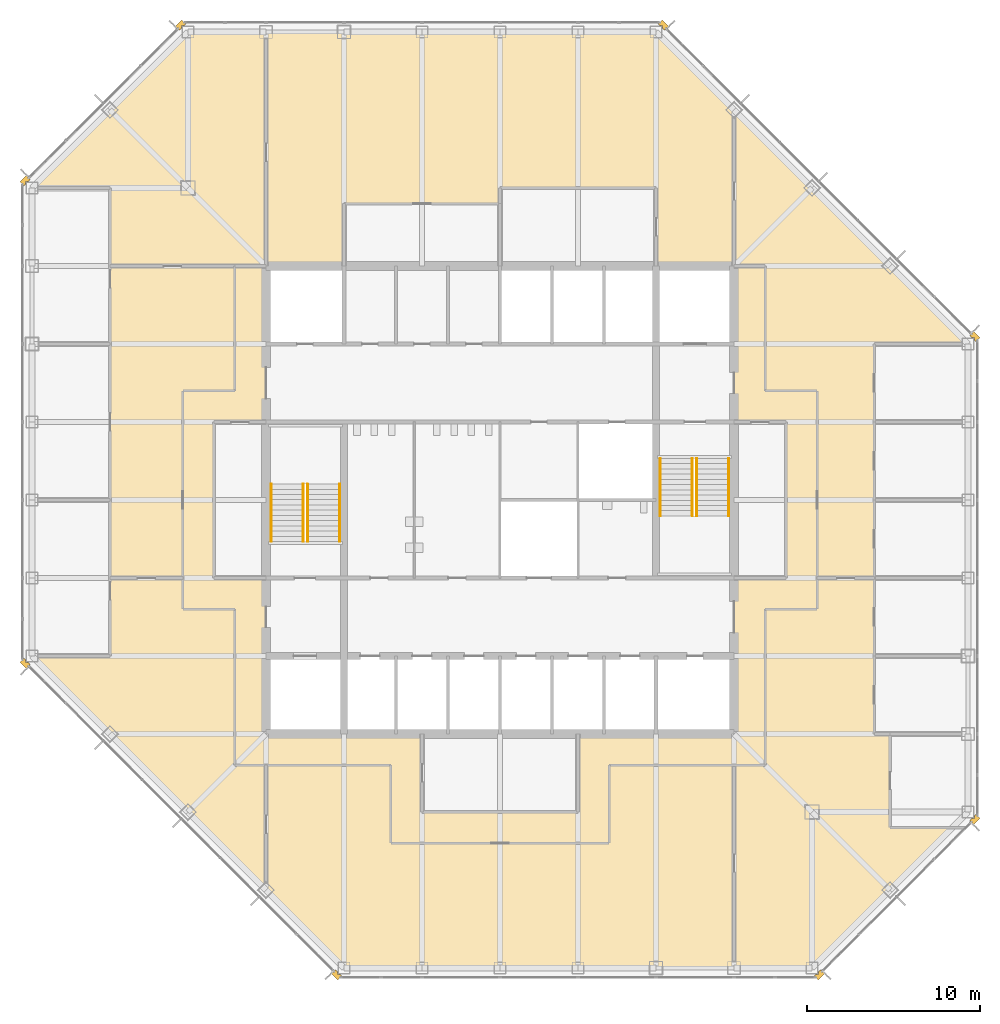
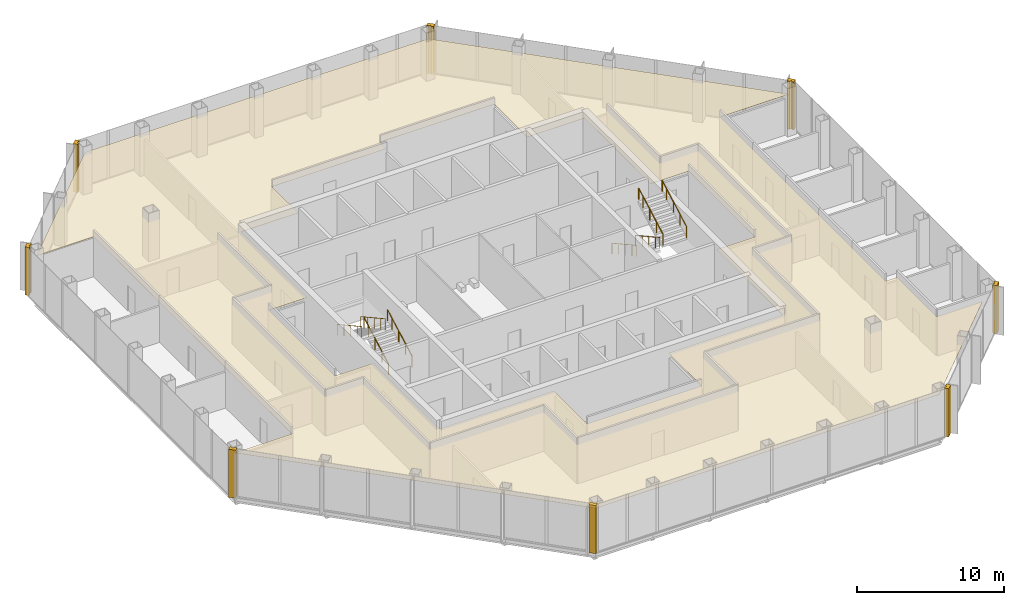
# One storey, part 12 of 13: 9 coverings, 8 railings.
"""IFC4 building model written with IfcOpenShell, lengths in metres."""

from ifc_helpers import new_model, si_unit, direction, frame, origin, origin_2d, place, context, subcontext, project, spatial, polyline, circle, outline, extrude, material, layer, layer_set, type_object, element, save


model = new_model("IFC4")

# Units and contexts
model_context = context("Model", 3, precision=1e-05, world=origin(), true_north=direction((0.0, 1.0)))
body_context = subcontext(model_context, "Body", "Model", "MODEL_VIEW")
ifc_project = project(units=[si_unit("LENGTHUNIT", "METRE"), si_unit("AREAUNIT", "SQUARE_METRE"), si_unit("VOLUMEUNIT", "CUBIC_METRE"), si_unit("PLANEANGLEUNIT", "RADIAN"), si_unit("MASSUNIT", "GRAM", prefix="KILO")], contexts=[model_context])

# Site, building, storey
site_placement = place(None, origin())
site = spatial("IfcSite", under=ifc_project, at=site_placement, CompositionType="ELEMENT")
building_placement = place(site_placement, origin())
building = spatial("IfcBuilding", under=site, at=building_placement, Name="Corais Broadcast Tower", CompositionType="ELEMENT")
storey_placement = place(building_placement, frame((0.0, 0.0, 175.60009765625)))
storey = spatial("IfcBuildingStorey", under=building, at=storey_placement, Name="L40", CompositionType="ELEMENT", Elevation=175.60009765625)

# Railings
ifc_material_1 = material(Name="Stainless steel handrail", Category="steel")
railing_type = type_object("IfcRailingType", Name="Handrail 920", PredefinedType="HANDRAIL", material=ifc_material_1)
for number, where, name in (
    (1, (17.75, 24.60009765625, 0.16650390625), "HR1 L40"),
    (2, (15.89990234375, 24.60009765625, 0.16650390625), "HR1 L40"),
):
    element("IfcRailing", number, at=place(storey_placement, frame(where)), inside=storey, type_object=railing_type, Name=name, PredefinedType="HANDRAIL", context=body_context, shape_type="SweptSolid", body=[
        extrude(circle(Radius=0.02392578125, at=origin_2d()), frame((0.0, 0.0, 0.89599609375), z_axis=(0.0, 0.875504475178, 0.483210010185), x_axis=(-1.0, 0.0, 0.0)), (0.0, 0.0, 1.0), 3.79443359375),
        extrude(circle(Radius=0.02099609375, at=origin_2d()), origin(), (0.0, 0.0, 1.0), 0.871826171875),
        extrude(circle(Radius=0.02099609375, at=origin_2d()), frame((0.0, 0.906005859375, 0.5)), (0.0, 0.0, 1.0), 0.871826171875),
        extrude(circle(Radius=0.02099609375, at=origin_2d()), frame((0.0, 1.81201171875, 1.0)), (0.0, 0.0, 1.0), 0.871826171875),
        extrude(circle(Radius=0.02099609375, at=origin_2d()), frame((0.0, 2.718017578125, 1.500244140625)), (0.0, 0.0, 1.0), 0.871826171875),
        extrude(circle(Radius=0.02099609375, at=origin_2d()), frame((0.0, 3.322021484375, 1.83349609375)), (0.0, 0.0, 1.0), 0.871826171875),
    ])
for number, where, name in (
    (3, (13.800048828125, 27.922119140625, 2.16650390625), "HR1 L40"),
    (4, (15.64990234375, 27.922119140625, 2.16650390625), "HR1 L40"),
    (5, (36.25, 29.39990234375, 0.16650390625), "HR1 L40"),
    (6, (38.10009765625, 29.39990234375, 0.16650390625), "HR1 L40"),
):
    element("IfcRailing", number, at=place(storey_placement, frame(where)), inside=storey, type_object=railing_type, Name=name, PredefinedType="HANDRAIL", context=body_context, shape_type="SweptSolid", body=[
        extrude(circle(Radius=0.02392578125, at=origin_2d()), frame((0.0, 0.0, 0.89599609375), z_axis=(0.0, -0.875504475178, 0.483210010185), x_axis=(1.0, 0.0, 0.0)), (0.0, 0.0, 1.0), 3.79443359375),
        extrude(circle(Radius=0.02099609375, at=origin_2d()), origin(), (0.0, 0.0, 1.0), 0.871826171875),
        extrude(circle(Radius=0.02099609375, at=origin_2d()), frame((0.0, -0.906005859375, 0.5)), (0.0, 0.0, 1.0), 0.871826171875),
        extrude(circle(Radius=0.02099609375, at=origin_2d()), frame((0.0, -1.81201171875, 1.0)), (0.0, 0.0, 1.0), 0.871826171875),
        extrude(circle(Radius=0.02099609375, at=origin_2d()), frame((0.0, -2.718017578125, 1.500244140625)), (0.0, 0.0, 1.0), 0.871826171875),
        extrude(circle(Radius=0.02099609375, at=origin_2d()), frame((0.0, -3.322021484375, 1.83349609375)), (0.0, 0.0, 1.0), 0.871826171875),
    ])
for number, where, name in (
    (7, (40.199951171875, 26.077880859375, 2.16650390625), "HR1 L40"),
    (8, (38.35009765625, 26.077880859375, 2.16650390625), "HR1 L40"),
):
    element("IfcRailing", number, at=place(storey_placement, frame(where)), inside=storey, type_object=railing_type, Name=name, PredefinedType="HANDRAIL", context=body_context, shape_type="SweptSolid", body=[
        extrude(circle(Radius=0.02392578125, at=origin_2d()), frame((0.0, 0.0, 0.89599609375), z_axis=(0.0, 0.875504475178, 0.483210010185), x_axis=(-1.0, 0.0, 0.0)), (0.0, 0.0, 1.0), 3.79443359375),
        extrude(circle(Radius=0.02099609375, at=origin_2d()), origin(), (0.0, 0.0, 1.0), 0.871826171875),
        extrude(circle(Radius=0.02099609375, at=origin_2d()), frame((0.0, 0.906005859375, 0.5)), (0.0, 0.0, 1.0), 0.871826171875),
        extrude(circle(Radius=0.02099609375, at=origin_2d()), frame((0.0, 1.81201171875, 1.0)), (0.0, 0.0, 1.0), 0.871826171875),
        extrude(circle(Radius=0.02099609375, at=origin_2d()), frame((0.0, 2.718017578125, 1.500244140625)), (0.0, 0.0, 1.0), 0.871826171875),
        extrude(circle(Radius=0.02099609375, at=origin_2d()), frame((0.0, 3.322021484375, 1.83349609375)), (0.0, 0.0, 1.0), 0.871826171875),
    ])

# Coverings
ifc_material_2 = material(Name="Granite stone cladding", Category="masonry")
ifc_layer_1 = layer(ifc_material_2, 0.324951171875)
ifc_layer_set_1 = layer_set([ifc_layer_1], Name="Granite stone cladding")
covering_type_1 = type_object("IfcCoveringType", Name="Stone corner pier cladding 500x325", PredefinedType="CLADDING", material=ifc_layer_set_1)
covering_1_placement = place(storey_placement, origin())
element("IfcCovering", 9, at=covering_1_placement, inside=storey, type_object=covering_type_1, Name="SP1 stone corner pier L40", PredefinedType="CLADDING", context=body_context, shape_type="SweptSolid", body=[
    extrude(outline(polyline([(17.860595703125, -0.461669921875), (17.77392578125, -0.375), (17.625, -0.375), (17.625, -0.22607421875), (17.507080078125, -0.108154296875), (17.277099609375, -0.337890625), (17.630859375, -0.69140625), (17.860595703125, -0.461669921875)])), origin(), (0.0, 0.0, 1.0), 4.0),
])
covering_2_placement = place(storey_placement, origin())
element("IfcCovering", 10, at=covering_2_placement, inside=storey, type_object=covering_type_1, Name="SP1 stone corner pier L40", PredefinedType="CLADDING", context=body_context, shape_type="SweptSolid", body=[
    extrude(outline(polyline([(-0.375, 17.77392578125), (-0.461669921875, 17.860595703125), (-0.69140625, 17.630859375), (-0.337890625, 17.277099609375), (-0.108154296875, 17.507080078125), (-0.22607421875, 17.625), (-0.375, 17.625), (-0.375, 17.77392578125)])), origin(), (0.0, 0.0, 1.0), 4.0),
])
covering_3_placement = place(storey_placement, origin())
element("IfcCovering", 11, at=covering_3_placement, inside=storey, type_object=covering_type_1, Name="SP1 stone corner pier L40", PredefinedType="CLADDING", context=body_context, shape_type="SweptSolid", body=[
    extrude(outline(polyline([(-0.461669921875, 45.139404296875), (-0.375, 45.22607421875), (-0.375, 45.375), (-0.22607421875, 45.375), (-0.108154296875, 45.492919921875), (-0.337890625, 45.722900390625), (-0.69140625, 45.369140625), (-0.461669921875, 45.139404296875)])), origin(), (0.0, 0.0, 1.0), 4.0),
])
covering_4_placement = place(storey_placement, origin())
element("IfcCovering", 12, at=covering_4_placement, inside=storey, type_object=covering_type_1, Name="SP1 stone corner pier L40", PredefinedType="CLADDING", context=body_context, shape_type="SweptSolid", body=[
    extrude(outline(polyline([(8.77392578125, 54.375), (8.860595703125, 54.461669921875), (8.630859375, 54.69140625), (8.277099609375, 54.337890625), (8.507080078125, 54.108154296875), (8.625, 54.22607421875), (8.625, 54.375), (8.77392578125, 54.375)])), origin(), (0.0, 0.0, 1.0), 4.0),
])
covering_5_placement = place(storey_placement, origin())
element("IfcCovering", 13, at=covering_5_placement, inside=storey, type_object=covering_type_1, Name="SP1 stone corner pier L40", PredefinedType="CLADDING", context=body_context, shape_type="SweptSolid", body=[
    extrude(outline(polyline([(36.139404296875, 54.461669921875), (36.22607421875, 54.375), (36.375, 54.375), (36.375, 54.22607421875), (36.492919921875, 54.108154296875), (36.722900390625, 54.337890625), (36.369140625, 54.69140625), (36.139404296875, 54.461669921875)])), origin(), (0.0, 0.0, 1.0), 4.0),
])
covering_6_placement = place(storey_placement, origin())
element("IfcCovering", 14, at=covering_6_placement, inside=storey, type_object=covering_type_1, Name="SP1 stone corner pier L40", PredefinedType="CLADDING", context=body_context, shape_type="SweptSolid", body=[
    extrude(outline(polyline([(54.375, 36.22607421875), (54.461669921875, 36.139404296875), (54.69140625, 36.369140625), (54.337890625, 36.722900390625), (54.108154296875, 36.492919921875), (54.22607421875, 36.375), (54.375, 36.375), (54.375, 36.22607421875)])), origin(), (0.0, 0.0, 1.0), 4.0),
])
covering_7_placement = place(storey_placement, origin())
element("IfcCovering", 15, at=covering_7_placement, inside=storey, type_object=covering_type_1, Name="SP1 stone corner pier L40", PredefinedType="CLADDING", context=body_context, shape_type="SweptSolid", body=[
    extrude(outline(polyline([(54.461669921875, 8.860595703125), (54.375, 8.77392578125), (54.375, 8.625), (54.22607421875, 8.625), (54.108154296875, 8.507080078125), (54.337890625, 8.277099609375), (54.69140625, 8.630859375), (54.461669921875, 8.860595703125)])), origin(), (0.0, 0.0, 1.0), 4.0),
])
covering_8_placement = place(storey_placement, origin())
element("IfcCovering", 16, at=covering_8_placement, inside=storey, type_object=covering_type_1, Name="SP1 stone corner pier L40", PredefinedType="CLADDING", context=body_context, shape_type="SweptSolid", body=[
    extrude(outline(polyline([(45.22607421875, -0.375), (45.139404296875, -0.461669921875), (45.369140625, -0.69140625), (45.722900390625, -0.337890625), (45.492919921875, -0.108154296875), (45.375, -0.22607421875), (45.375, -0.375), (45.22607421875, -0.375)])), origin(), (0.0, 0.0, 1.0), 4.0),
])
ifc_material_3 = material(Name="Mineral fibre ceiling tile", Category="mineral")
ifc_layer_2 = layer(ifc_material_3, 0.02001953125)
ifc_layer_set_2 = layer_set([ifc_layer_2], Name="Mineral fibre ceiling tile")
covering_type_2 = type_object("IfcCoveringType", Name="Suspended ceiling", PredefinedType="CEILING", material=ifc_layer_set_2)
covering_9_placement = place(storey_placement, frame((0.0, 0.0, 3.219970703125)))
element("IfcCovering", 17, at=covering_9_placement, inside=storey, type_object=covering_type_2, Name="CE1 ceiling L40", PredefinedType="CEILING", context=body_context, shape_type="SweptSolid", body=[
    extrude(outline(polyline([(48.60009765625, 13.5), (49.5, 13.5), (49.5, 8.10009765625), (53.10009765625, 8.10009765625), (45.0, 0.0), (18.0, 0.0), (13.501708984375, 4.498291015625), (13.50048828125, 4.49951171875), (13.499755859375, 4.500244140625), (0.0, 18.0), (4.5, 18.0), (4.5, 45.0), (0.0, 45.0), (9.0, 54.0), (36.0, 54.0), (54.0, 36.0), (48.60009765625, 36.0), (48.60009765625, 13.5)]), holes=[polyline([(13.5, 31.5), (10.5, 31.5), (10.5, 22.5), (13.5, 22.5), (13.5, 13.5), (22.5, 13.5), (22.5, 9.0), (31.5, 9.0), (31.5, 13.5), (40.5, 13.5), (40.5, 22.5), (43.5, 22.5), (43.5, 31.5), (40.5, 31.5), (40.5, 40.5), (36.0, 40.5), (36.0, 45.0), (27.0, 45.0), (27.0, 44.10009765625), (18.0, 44.10009765625), (18.0, 40.5), (13.5, 40.5), (13.5, 31.5)])]), origin(), (0.0, 0.0, 1.0), 0.02001953125),
])

save(model, "model.ifc")
